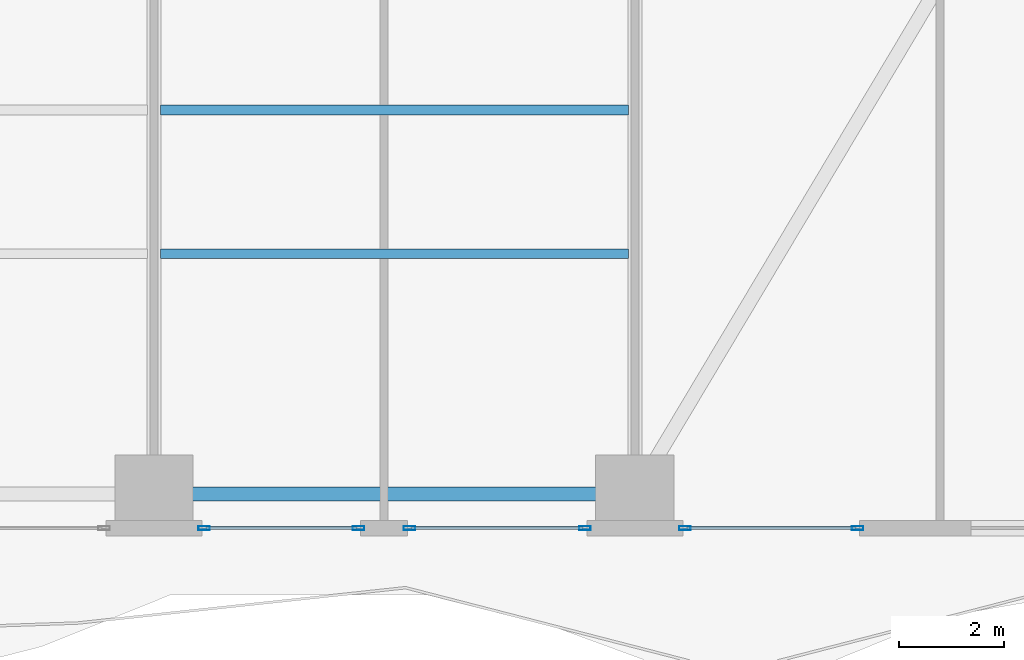
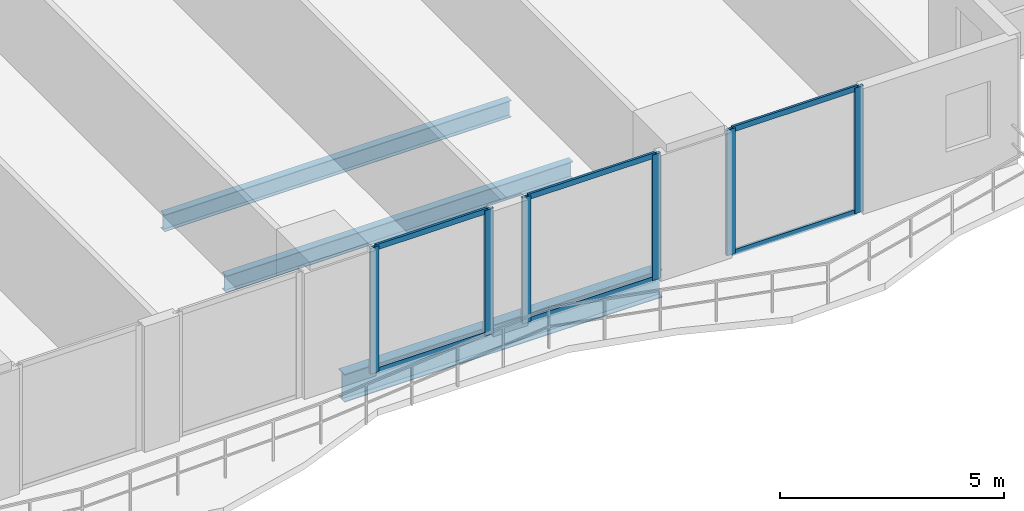
# One storey, part 8 of 29: 12 members, 3 beams, 3 elements without a shape of their own.
"""IFC4 building model written with IfcOpenShell, lengths in metres."""

from ifc_helpers import new_model, si_unit, direction, frame, origin, origin_2d, place, context, subcontext, project, spatial, hollow_rectangle, i_section, extrude, material, layer, layer_set, material_profile, profile_set, type_object, element, aggregate, save


model = new_model("IFC4")

# Units and contexts
model_context = context("Model", 3, precision=1e-05, world=origin(), true_north=direction((0.0, 1.0)))
body_context = subcontext(model_context, "Body", "Model", "MODEL_VIEW")
ifc_project = project(units=[si_unit("LENGTHUNIT", "METRE"), si_unit("AREAUNIT", "SQUARE_METRE"), si_unit("VOLUMEUNIT", "CUBIC_METRE"), si_unit("PLANEANGLEUNIT", "RADIAN"), si_unit("MASSUNIT", "GRAM", prefix="KILO")], contexts=[model_context])

# Site, building, storey
site_placement = place(None, origin())
site = spatial("IfcSite", under=ifc_project, at=site_placement, CompositionType="ELEMENT")
building_placement = place(site_placement, origin())
building = spatial("IfcBuilding", under=site, at=building_placement, Name="Zuhayl Quay Hotel", CompositionType="ELEMENT")
storey_placement = place(building_placement, frame((0.0, 0.0, 60.449951171875)))
storey = spatial("IfcBuildingStorey", under=building, at=storey_placement, Name="L14", CompositionType="ELEMENT", Elevation=60.449951171875)

# Beams
ifc_material_1 = material(Name="Steel ASTM A992 Grade 50", Category="steel")
ifc_material_profile_1 = material_profile(ifc_material_1, i_section(OverallWidth=0.26708984375, OverallDepth=0.761962890625, WebThickness=0.014404296875, FlangeThickness=0.021484375, at=origin_2d()), Name="W30X116")
ifc_profile_set_1 = profile_set([ifc_material_profile_1], Name="Steel ASTM A992 Grade 50")
beam_type_1 = type_object("IfcBeamType", Name="BM_B1_W30X116", PredefinedType="BEAM", material=ifc_profile_set_1)
beam_placement = place(storey_placement, frame((5.10009765625, -22.449951171875, -0.600830078125), z_axis=(1.0, 0.0, 0.0), x_axis=(0.0, 1.0, 0.0)))
element("IfcBeam", 1, at=beam_placement, inside=storey, type_object=beam_type_1, Name="L14 Floor Beam RG_L14_03", PredefinedType="BEAM", context=body_context, shape_type="SweptSolid", body=[
    extrude(i_section(OverallWidth=0.26708984375, OverallDepth=0.761962890625, WebThickness=0.014404296875, FlangeThickness=0.021484375, at=origin_2d()), origin(), (0.0, 0.0, 1.0), 8.199951171875),
])
ifc_material_profile_2 = material_profile(ifc_material_1, i_section(OverallWidth=0.18994140625, OverallDepth=0.45703125, WebThickness=0.009033203125, FlangeThickness=0.014404296875, at=origin_2d()), Name="W18X50")
ifc_profile_set_2 = profile_set([ifc_material_profile_2], Name="Steel ASTM A992 Grade 50")
beam_type_2 = type_object("IfcBeamType", Name="BM_J2_W18X50", PredefinedType="JOIST", material=ifc_profile_set_2)
for number, where, z_axis, x_axis, name in (
    (2, (4.7255859375, -17.85009765625, -0.448486328125), (1.0, 0.0, 0.0), (0.0, 1.0, 0.0), "L14 Floor Beam FJ_L14_3_3"),
    (3, (4.7255859375, -15.10009765625, -0.448486328125), (1.0, 0.0, 0.0), (0.0, 1.0, 0.0), "L14 Floor Beam FJ_L14_4_3"),
):
    element("IfcBeam", number, at=place(storey_placement, frame(where, z_axis=z_axis, x_axis=x_axis)), inside=storey, type_object=beam_type_2, Name=name, PredefinedType="JOIST", context=body_context, shape_type="SweptSolid", body=[
        extrude(i_section(OverallWidth=0.18994140625, OverallDepth=0.45703125, WebThickness=0.009033203125, FlangeThickness=0.014404296875, at=origin_2d()), origin(), (0.0, 0.0, 1.0), 8.948974609375),
    ])

# Curtain wall, members
ifc_material_2 = material(Name="Anodised Aluminium 6063-T6", Category="aluminium")
ifc_layer = layer(ifc_material_2, 0.18994140625, Name="Anodised Aluminium 6063-T6", Category="aluminium")
ifc_layer_set = layer_set([ifc_layer], Name="Anodised Aluminium 6063-T6")
curtain_wall_type = type_object("IfcCurtainWallType", Name="CW_SYS_Z1", PredefinedType="USERDEFINED", material=ifc_layer_set)
curtain_wall_1_placement = place(storey_placement, origin())
curtain_wall_1 = element("IfcCurtainWall", 4, at=curtain_wall_1_placement, inside=storey, type_object=curtain_wall_type, Name="L14 Curtain Wall ENV_L14_S_CW1", ObjectType="UNITISED CURTAIN WALL", PredefinedType="USERDEFINED")
ifc_material_3 = material(Name="Black-anodised aluminium 6063-T6", Category="aluminium")
ifc_material_profile_3 = material_profile(ifc_material_3, hollow_rectangle(XDim=0.074951171875, YDim=0.219970703125, WallThickness=0.00390625, at=origin_2d()), Name="ALU220X75")
ifc_profile_set_3 = profile_set([ifc_material_profile_3], Name="Black-anodised aluminium 6063-T6")
member_type_1 = type_object("IfcMemberType", Name="MB_CW_MUL_220", PredefinedType="MULLION", material=ifc_profile_set_3)
member_1_placement = place(storey_placement, frame((18.0625, -23.10009765625, 0.0), z_axis=(0.0, 0.0, 1.0), x_axis=(0.0, -1.0, 0.0)))
member_1 = element("IfcMember", 5, at=member_1_placement, type_object=member_type_1, Name="CW-Z1 mullion 1", PredefinedType="MULLION", context=body_context, shape_type="SweptSolid", body=[
    extrude(hollow_rectangle(XDim=0.074951171875, YDim=0.219970703125, WallThickness=0.00390625, at=origin_2d()), origin(), (0.0, 0.0, 1.0), 3.429931640625),
])
member_2_placement = place(storey_placement, frame((14.757568359375, -23.10009765625, 0.0), z_axis=(0.0, 0.0, 1.0), x_axis=(0.0, -1.0, 0.0)))
member_2 = element("IfcMember", 6, at=member_2_placement, type_object=member_type_1, Name="CW-Z1 mullion 2", PredefinedType="MULLION", context=body_context, shape_type="SweptSolid", body=[
    extrude(hollow_rectangle(XDim=0.074951171875, YDim=0.219970703125, WallThickness=0.00390625, at=origin_2d()), origin(), (0.0, 0.0, 1.0), 3.429931640625),
])

curtain_wall_2_placement = place(storey_placement, origin())
curtain_wall_2 = element("IfcCurtainWall", 7, at=curtain_wall_2_placement, inside=storey, type_object=curtain_wall_type, Name="L14 Curtain Wall ENV_L14_S_CW2", ObjectType="UNITISED CURTAIN WALL", PredefinedType="USERDEFINED")
member_3_placement = place(storey_placement, frame((12.842529296875, -23.10009765625, 0.0), z_axis=(0.0, 0.0, 1.0), x_axis=(0.0, -1.0, 0.0)))
member_3 = element("IfcMember", 8, at=member_3_placement, type_object=member_type_1, Name="CW-Z1 mullion 1", PredefinedType="MULLION", context=body_context, shape_type="SweptSolid", body=[
    extrude(hollow_rectangle(XDim=0.074951171875, YDim=0.219970703125, WallThickness=0.00390625, at=origin_2d()), origin(), (0.0, 0.0, 1.0), 3.429931640625),
])
member_4_placement = place(storey_placement, frame((9.487548828125, -23.10009765625, 0.0), z_axis=(0.0, 0.0, 1.0), x_axis=(0.0, -1.0, 0.0)))
member_4 = element("IfcMember", 9, at=member_4_placement, type_object=member_type_1, Name="CW-Z1 mullion 2", PredefinedType="MULLION", context=body_context, shape_type="SweptSolid", body=[
    extrude(hollow_rectangle(XDim=0.074951171875, YDim=0.219970703125, WallThickness=0.00390625, at=origin_2d()), origin(), (0.0, 0.0, 1.0), 3.429931640625),
])

curtain_wall_3_placement = place(storey_placement, origin())
curtain_wall_3 = element("IfcCurtainWall", 10, at=curtain_wall_3_placement, inside=storey, type_object=curtain_wall_type, Name="L14 Curtain Wall ENV_L14_S_CW3", ObjectType="UNITISED CURTAIN WALL", PredefinedType="USERDEFINED")
member_5_placement = place(storey_placement, frame((8.512451171875, -23.10009765625, 0.0), z_axis=(0.0, 0.0, 1.0), x_axis=(0.0, -1.0, 0.0)))
member_5 = element("IfcMember", 11, at=member_5_placement, type_object=member_type_1, Name="CW-Z1 mullion 1", PredefinedType="MULLION", context=body_context, shape_type="SweptSolid", body=[
    extrude(hollow_rectangle(XDim=0.074951171875, YDim=0.219970703125, WallThickness=0.00390625, at=origin_2d()), origin(), (0.0, 0.0, 1.0), 3.429931640625),
])
member_6_placement = place(storey_placement, frame((5.5576171875, -23.10009765625, 0.0), z_axis=(0.0, 0.0, 1.0), x_axis=(0.0, -1.0, 0.0)))
member_6 = element("IfcMember", 12, at=member_6_placement, type_object=member_type_1, Name="CW-Z1 mullion 2", PredefinedType="MULLION", context=body_context, shape_type="SweptSolid", body=[
    extrude(hollow_rectangle(XDim=0.074951171875, YDim=0.219970703125, WallThickness=0.00390625, at=origin_2d()), origin(), (0.0, 0.0, 1.0), 3.429931640625),
])

# Member
ifc_material_profile_4 = material_profile(ifc_material_3, hollow_rectangle(XDim=0.06005859375, YDim=0.14990234375, WallThickness=0.00341796875, at=origin_2d()), Name="ALU150X60")
ifc_profile_set_4 = profile_set([ifc_material_profile_4], Name="Black-anodised aluminium 6063-T6")
member_type_2 = type_object("IfcMemberType", Name="MB_CW_TRN_150", PredefinedType="USERDEFINED", material=ifc_profile_set_4)
member_7_placement = place(storey_placement, frame((18.02490234375, -23.10009765625, 0.030029296875), z_axis=(-1.0, 0.0, 0.0), x_axis=(0.0, -1.0, 0.0)))
member_7 = element("IfcMember", 13, at=member_7_placement, type_object=member_type_2, Name="CW-Z1 transom 1.1", ObjectType="TRANSOM", PredefinedType="USERDEFINED", context=body_context, shape_type="SweptSolid", body=[
    extrude(hollow_rectangle(XDim=0.06005859375, YDim=0.14990234375, WallThickness=0.00341796875, at=origin_2d()), origin(), (0.0, 0.0, 1.0), 3.22998046875),
])

member_8_placement = place(storey_placement, frame((18.02490234375, -23.10009765625, 3.400146484375), z_axis=(-1.0, 0.0, 0.0), x_axis=(0.0, -1.0, 0.0)))
member_8 = element("IfcMember", 14, at=member_8_placement, type_object=member_type_2, Name="CW-Z1 transom 1.2", ObjectType="TRANSOM", PredefinedType="USERDEFINED", context=body_context, shape_type="SweptSolid", body=[
    extrude(hollow_rectangle(XDim=0.06005859375, YDim=0.14990234375, WallThickness=0.00341796875, at=origin_2d()), origin(), (0.0, 0.0, 1.0), 3.22998046875),
])

aggregate(curtain_wall_1, [member_1, member_2, member_7, member_8])

member_9_placement = place(storey_placement, frame((12.804931640625, -23.10009765625, 0.030029296875), z_axis=(-1.0, 0.0, 0.0), x_axis=(0.0, -1.0, 0.0)))
member_9 = element("IfcMember", 15, at=member_9_placement, type_object=member_type_2, Name="CW-Z1 transom 1.1", ObjectType="TRANSOM", PredefinedType="USERDEFINED", context=body_context, shape_type="SweptSolid", body=[
    extrude(hollow_rectangle(XDim=0.06005859375, YDim=0.14990234375, WallThickness=0.00341796875, at=origin_2d()), origin(), (0.0, 0.0, 1.0), 3.280029296875),
])

member_10_placement = place(storey_placement, frame((12.804931640625, -23.10009765625, 3.400146484375), z_axis=(-1.0, 0.0, 0.0), x_axis=(0.0, -1.0, 0.0)))
member_10 = element("IfcMember", 16, at=member_10_placement, type_object=member_type_2, Name="CW-Z1 transom 1.2", ObjectType="TRANSOM", PredefinedType="USERDEFINED", context=body_context, shape_type="SweptSolid", body=[
    extrude(hollow_rectangle(XDim=0.06005859375, YDim=0.14990234375, WallThickness=0.00341796875, at=origin_2d()), origin(), (0.0, 0.0, 1.0), 3.280029296875),
])

aggregate(curtain_wall_2, [member_3, member_4, member_9, member_10])

member_11_placement = place(storey_placement, frame((8.47509765625, -23.10009765625, 0.030029296875), z_axis=(-1.0, 0.0, 0.0), x_axis=(0.0, -1.0, 0.0)))
member_11 = element("IfcMember", 17, at=member_11_placement, type_object=member_type_2, Name="CW-Z1 transom 1.1", ObjectType="TRANSOM", PredefinedType="USERDEFINED", context=body_context, shape_type="SweptSolid", body=[
    extrude(hollow_rectangle(XDim=0.06005859375, YDim=0.14990234375, WallThickness=0.00341796875, at=origin_2d()), origin(), (0.0, 0.0, 1.0), 2.880126953125),
])

member_12_placement = place(storey_placement, frame((8.47509765625, -23.10009765625, 3.400146484375), z_axis=(-1.0, 0.0, 0.0), x_axis=(0.0, -1.0, 0.0)))
member_12 = element("IfcMember", 18, at=member_12_placement, type_object=member_type_2, Name="CW-Z1 transom 1.2", ObjectType="TRANSOM", PredefinedType="USERDEFINED", context=body_context, shape_type="SweptSolid", body=[
    extrude(hollow_rectangle(XDim=0.06005859375, YDim=0.14990234375, WallThickness=0.00341796875, at=origin_2d()), origin(), (0.0, 0.0, 1.0), 2.880126953125),
])

aggregate(curtain_wall_3, [member_5, member_6, member_11, member_12])

save(model, "model.ifc")
